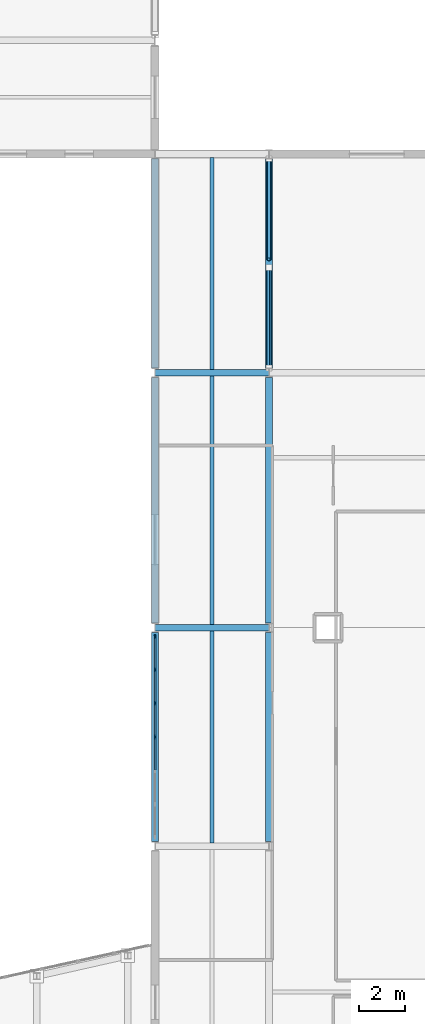
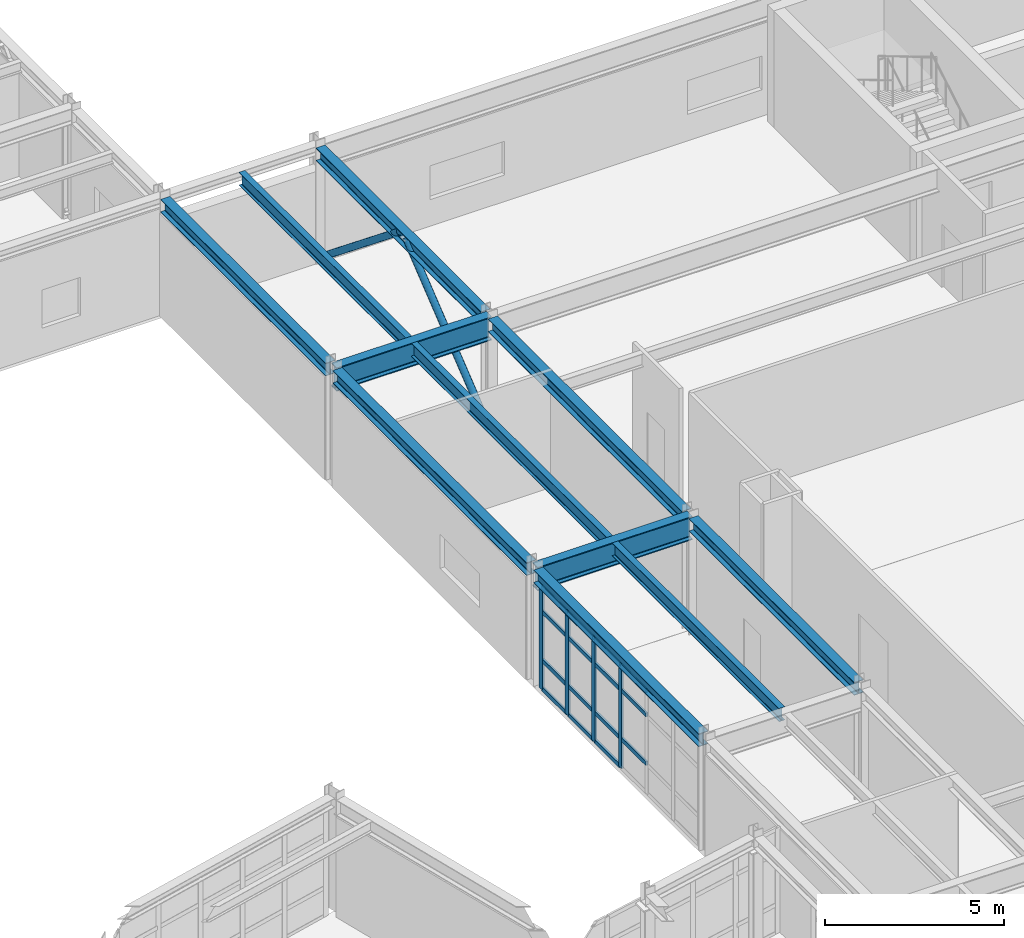
# One storey, part 40 of 88: 21 members, 11 beams, 1 element without a shape of its own.
"""IFC4 building model written with IfcOpenShell, lengths in metres."""

from ifc_helpers import new_model, si_unit, direction, frame, origin, origin_2d, place, context, subcontext, project, spatial, rectangle, hollow_circle, i_section, extrude, material, layer, layer_set, material_profile, profile_set, type_object, element, aggregate, save


model = new_model("IFC4")

# Units and contexts
model_context = context("Model", 3, precision=1e-05, world=origin(), true_north=direction((0.0, 1.0)))
body_context = subcontext(model_context, "Body", "Model", "MODEL_VIEW")
ifc_project = project(units=[si_unit("LENGTHUNIT", "METRE"), si_unit("AREAUNIT", "SQUARE_METRE"), si_unit("VOLUMEUNIT", "CUBIC_METRE"), si_unit("PLANEANGLEUNIT", "RADIAN"), si_unit("MASSUNIT", "GRAM", prefix="KILO")], contexts=[model_context])

# Site, building, storey
site_placement = place(None, origin())
site = spatial("IfcSite", under=ifc_project, at=site_placement, CompositionType="ELEMENT")
building_placement = place(site_placement, origin())
building = spatial("IfcBuilding", under=site, at=building_placement, Name="Nordkorset Police Headquarters", CompositionType="ELEMENT")
storey_placement = place(building_placement, frame((0.0, 0.0, 9.449951171875)))
storey = spatial("IfcBuildingStorey", under=building, at=storey_placement, Name="L02", CompositionType="ELEMENT", Elevation=9.449951171875)

# Beams
ifc_material_1 = material(Name="Steel S355J2", Category="steel")
ifc_material_profile_1 = material_profile(ifc_material_1, i_section(OverallWidth=0.18994140625, OverallDepth=0.449951171875, WebThickness=0.009521484375, FlangeThickness=0.0146484375, FilletRadius=0.02099609375, at=origin_2d()), Name="IPE 450")
ifc_profile_set_1 = profile_set([ifc_material_profile_1], Name="Steel S355J2")
beam_type_1 = type_object("IfcBeamType", Name="Beam_IPE_450", PredefinedType="BEAM", material=ifc_profile_set_1)
beam_1_placement = place(storey_placement, frame((88.89990234375, 67.35009765625, 3.739990234375), z_axis=(0.0, 1.0, 0.0), x_axis=(-1.0, 0.0, 0.0)))
element("IfcBeam", 1, at=beam_1_placement, inside=storey, type_object=beam_type_1, Name="Composite Floor Beam V5 L02 0-2-1", PredefinedType="BEAM", context=body_context, shape_type="SweptSolid", body=[
    extrude(i_section(OverallWidth=0.18994140625, OverallDepth=0.449951171875, WebThickness=0.009521484375, FlangeThickness=0.0146484375, FilletRadius=0.02099609375, at=origin_2d()), origin(), (0.0, 0.0, 1.0), 9.2998046875),
])
beam_2_placement = place(storey_placement, frame((88.89990234375, 76.949951171875, 3.739990234375), z_axis=(0.0, 1.0, 0.0), x_axis=(-1.0, 0.0, 0.0)))
element("IfcBeam", 2, at=beam_2_placement, inside=storey, type_object=beam_type_1, Name="Composite Floor Beam V5 L02 0-3-1", PredefinedType="BEAM", context=body_context, shape_type="SweptSolid", body=[
    extrude(i_section(OverallWidth=0.18994140625, OverallDepth=0.449951171875, WebThickness=0.009521484375, FlangeThickness=0.0146484375, FilletRadius=0.02099609375, at=origin_2d()), origin(), (0.0, 0.0, 1.0), 10.900146484375),
])
beam_3_placement = place(storey_placement, frame((88.89990234375, 88.14990234375, 3.739990234375), z_axis=(0.0, 1.0, 0.0), x_axis=(-1.0, 0.0, 0.0)))
element("IfcBeam", 3, at=beam_3_placement, inside=storey, type_object=beam_type_1, Name="Composite Floor Beam V5 L02 0-4-1", PredefinedType="BEAM", context=body_context, shape_type="SweptSolid", body=[
    extrude(i_section(OverallWidth=0.18994140625, OverallDepth=0.449951171875, WebThickness=0.009521484375, FlangeThickness=0.0146484375, FilletRadius=0.02099609375, at=origin_2d()), origin(), (0.0, 0.0, 1.0), 9.300048828125),
])

# Members
ifc_material_2 = material(Name="Steel S355J2", Category="steel")
ifc_material_profile_2 = material_profile(ifc_material_2, hollow_circle(Radius=0.109619140625, WallThickness=0.010009765625, at=origin_2d()), Name="CHS 219.1x10")
ifc_profile_set_2 = profile_set([ifc_material_profile_2], Name="Steel S355J2")
member_type_1 = type_object("IfcMemberType", Name="Brace_CHS_219.1x10", PredefinedType="BRACE", material=ifc_profile_set_2)
for number, where, z_axis, x_axis, name in (
    (4, (91.39990234375, 88.199951171875, 0.199951171875), (0.0, 0.779669991472, 0.626190629439), (-1.0, 0.0, 0.0), "Lateral Chevron Brace BF-V5-A L02 D1"),
    (5, (91.39990234375, 97.39990234375, 0.199951171875), (0.0, -0.779653104675, 0.626211654611), (1.0, 0.0, 0.0), "Lateral Chevron Brace BF-V5-A L02 D2"),
):
    element("IfcMember", number, at=place(storey_placement, frame(where, z_axis=z_axis, x_axis=x_axis)), inside=storey, type_object=member_type_1, Name=name, PredefinedType="BRACE", context=body_context, shape_type="SweptSolid", body=[
        extrude(hollow_circle(Radius=0.109619140625, WallThickness=0.010009765625, at=origin_2d()), origin(), (0.0, 0.0, 1.0), 5.669189453125),
    ])

# Curtain wall, members
ifc_material_3 = material(Name="Aluminium alloy AW-6060", Category="aluminium")
ifc_layer = layer(ifc_material_3, 0.179931640625, Name="Aluminium alloy AW-6060")
ifc_layer_set = layer_set([ifc_layer], Name="Aluminium alloy AW-6060")
curtain_wall_type = type_object("IfcCurtainWallType", Name="CW_Unit_888x350", PredefinedType="USERDEFINED", material=ifc_layer_set)
curtain_wall_placement = place(storey_placement, origin())
curtain_wall = element("IfcCurtainWall", 6, at=curtain_wall_placement, inside=storey, type_object=curtain_wall_type, Name="Unitised Curtain Wall L02 V5W-2", ObjectType="UNITISED CURTAIN WALL", PredefinedType="USERDEFINED")
ifc_material_4 = material(Name="Aluminium alloy AW-6060", Category="aluminium")
ifc_material_profile_3 = material_profile(ifc_material_4, rectangle(XDim=0.06494140625, YDim=0.179931640625, at=origin_2d()), Name="ALU MULL 65x180")
ifc_profile_set_3 = profile_set([ifc_material_profile_3], Name="Aluminium alloy AW-6060")
member_type_2 = type_object("IfcMemberType", Name="CW_Mullion_65x180", PredefinedType="MULLION", material=ifc_profile_set_3)
member_1_placement = place(storey_placement, frame((86.39990234375, 72.0, 0.0), z_axis=(0.0, 0.0, 1.0), x_axis=(-1.0, 0.0, 0.0)))
member_1 = element("IfcMember", 7, at=member_1_placement, type_object=member_type_2, Name="CW-95 mullion 4", PredefinedType="MULLION", context=body_context, shape_type="SweptSolid", body=[
    extrude(rectangle(XDim=0.06494140625, YDim=0.179931640625, at=origin_2d()), origin(), (0.0, 0.0, 1.0), 3.505126953125),
])
member_2_placement = place(storey_placement, frame((86.39990234375, 73.47998046875, 0.0), z_axis=(0.0, 0.0, 1.0), x_axis=(-1.0, 0.0, 0.0)))
member_2 = element("IfcMember", 8, at=member_2_placement, type_object=member_type_2, Name="CW-95 mullion 5", PredefinedType="MULLION", context=body_context, shape_type="SweptSolid", body=[
    extrude(rectangle(XDim=0.06494140625, YDim=0.179931640625, at=origin_2d()), origin(), (0.0, 0.0, 1.0), 3.505126953125),
])
member_3_placement = place(storey_placement, frame((86.39990234375, 74.9599609375, 0.0), z_axis=(0.0, 0.0, 1.0), x_axis=(-1.0, 0.0, 0.0)))
member_3 = element("IfcMember", 9, at=member_3_placement, type_object=member_type_2, Name="CW-95 mullion 6", PredefinedType="MULLION", context=body_context, shape_type="SweptSolid", body=[
    extrude(rectangle(XDim=0.06494140625, YDim=0.179931640625, at=origin_2d()), origin(), (0.0, 0.0, 1.0), 3.505126953125),
])
member_4_placement = place(storey_placement, frame((86.39990234375, 76.407470703125, 0.0), z_axis=(0.0, 0.0, 1.0), x_axis=(-1.0, 0.0, 0.0)))
member_4 = element("IfcMember", 10, at=member_4_placement, type_object=member_type_2, Name="CW-95 mullion 7", PredefinedType="MULLION", context=body_context, shape_type="SweptSolid", body=[
    extrude(rectangle(XDim=0.06494140625, YDim=0.179931640625, at=origin_2d()), origin(), (0.0, 0.0, 1.0), 3.505126953125),
])
ifc_material_5 = material(Name="Aluminium alloy AW-6060", Category="aluminium")
ifc_material_profile_4 = material_profile(ifc_material_5, rectangle(XDim=0.06494140625, YDim=0.139892578125, at=origin_2d()), Name="ALU TRAN 65x140")
ifc_profile_set_4 = profile_set([ifc_material_profile_4], Name="Aluminium alloy AW-6060")
member_type_3 = type_object("IfcMemberType", Name="CW_Transom_65x140", PredefinedType="USERDEFINED", material=ifc_profile_set_4)
member_5_placement = place(storey_placement, frame((86.39990234375, 70.552490234375, 1.0), z_axis=(0.0, 1.0, 0.0), x_axis=(-1.0, 0.0, 0.0)))
member_5 = element("IfcMember", 11, at=member_5_placement, type_object=member_type_3, Name="CW-95 transom 3.2", ObjectType="TRANSOM", PredefinedType="USERDEFINED", context=body_context, shape_type="SweptSolid", body=[
    extrude(rectangle(XDim=0.06494140625, YDim=0.139892578125, at=origin_2d()), origin(), (0.0, 0.0, 1.0), 1.4150390625),
])
member_6_placement = place(storey_placement, frame((86.39990234375, 70.552490234375, 2.655029296875), z_axis=(0.0, 1.0, 0.0), x_axis=(-1.0, 0.0, 0.0)))
member_6 = element("IfcMember", 12, at=member_6_placement, type_object=member_type_3, Name="CW-95 transom 3.3", ObjectType="TRANSOM", PredefinedType="USERDEFINED", context=body_context, shape_type="SweptSolid", body=[
    extrude(rectangle(XDim=0.06494140625, YDim=0.139892578125, at=origin_2d()), origin(), (0.0, 0.0, 1.0), 1.4150390625),
])
member_7_placement = place(storey_placement, frame((86.39990234375, 70.552490234375, 3.47265625), z_axis=(0.0, 1.0, 0.0), x_axis=(-1.0, 0.0, 0.0)))
member_7 = element("IfcMember", 13, at=member_7_placement, type_object=member_type_3, Name="CW-95 transom 3.4", ObjectType="TRANSOM", PredefinedType="USERDEFINED", context=body_context, shape_type="SweptSolid", body=[
    extrude(rectangle(XDim=0.06494140625, YDim=0.139892578125, at=origin_2d()), origin(), (0.0, 0.0, 1.0), 1.4150390625),
])
member_8_placement = place(storey_placement, frame((86.39990234375, 72.032470703125, 0.032470703125), z_axis=(0.0, 1.0, 0.0), x_axis=(-1.0, 0.0, 0.0)))
member_8 = element("IfcMember", 14, at=member_8_placement, type_object=member_type_3, Name="CW-95 transom 4.1", ObjectType="TRANSOM", PredefinedType="USERDEFINED", context=body_context, shape_type="SweptSolid", body=[
    extrude(rectangle(XDim=0.06494140625, YDim=0.139892578125, at=origin_2d()), origin(), (0.0, 0.0, 1.0), 1.4150390625),
])
member_9_placement = place(storey_placement, frame((86.39990234375, 72.032470703125, 1.0), z_axis=(0.0, 1.0, 0.0), x_axis=(-1.0, 0.0, 0.0)))
member_9 = element("IfcMember", 15, at=member_9_placement, type_object=member_type_3, Name="CW-95 transom 4.2", ObjectType="TRANSOM", PredefinedType="USERDEFINED", context=body_context, shape_type="SweptSolid", body=[
    extrude(rectangle(XDim=0.06494140625, YDim=0.139892578125, at=origin_2d()), origin(), (0.0, 0.0, 1.0), 1.4150390625),
])
member_10_placement = place(storey_placement, frame((86.39990234375, 72.032470703125, 2.655029296875), z_axis=(0.0, 1.0, 0.0), x_axis=(-1.0, 0.0, 0.0)))
member_10 = element("IfcMember", 16, at=member_10_placement, type_object=member_type_3, Name="CW-95 transom 4.3", ObjectType="TRANSOM", PredefinedType="USERDEFINED", context=body_context, shape_type="SweptSolid", body=[
    extrude(rectangle(XDim=0.06494140625, YDim=0.139892578125, at=origin_2d()), origin(), (0.0, 0.0, 1.0), 1.4150390625),
])
member_11_placement = place(storey_placement, frame((86.39990234375, 72.032470703125, 3.47265625), z_axis=(0.0, 1.0, 0.0), x_axis=(-1.0, 0.0, 0.0)))
member_11 = element("IfcMember", 17, at=member_11_placement, type_object=member_type_3, Name="CW-95 transom 4.4", ObjectType="TRANSOM", PredefinedType="USERDEFINED", context=body_context, shape_type="SweptSolid", body=[
    extrude(rectangle(XDim=0.06494140625, YDim=0.139892578125, at=origin_2d()), origin(), (0.0, 0.0, 1.0), 1.4150390625),
])
member_12_placement = place(storey_placement, frame((86.39990234375, 73.512451171875, 0.032470703125), z_axis=(0.0, 1.0, 0.0), x_axis=(-1.0, 0.0, 0.0)))
member_12 = element("IfcMember", 18, at=member_12_placement, type_object=member_type_3, Name="CW-95 transom 5.1", ObjectType="TRANSOM", PredefinedType="USERDEFINED", context=body_context, shape_type="SweptSolid", body=[
    extrude(rectangle(XDim=0.06494140625, YDim=0.139892578125, at=origin_2d()), origin(), (0.0, 0.0, 1.0), 1.4150390625),
])
member_13_placement = place(storey_placement, frame((86.39990234375, 73.512451171875, 1.0), z_axis=(0.0, 1.0, 0.0), x_axis=(-1.0, 0.0, 0.0)))
member_13 = element("IfcMember", 19, at=member_13_placement, type_object=member_type_3, Name="CW-95 transom 5.2", ObjectType="TRANSOM", PredefinedType="USERDEFINED", context=body_context, shape_type="SweptSolid", body=[
    extrude(rectangle(XDim=0.06494140625, YDim=0.139892578125, at=origin_2d()), origin(), (0.0, 0.0, 1.0), 1.4150390625),
])
member_14_placement = place(storey_placement, frame((86.39990234375, 73.512451171875, 2.655029296875), z_axis=(0.0, 1.0, 0.0), x_axis=(-1.0, 0.0, 0.0)))
member_14 = element("IfcMember", 20, at=member_14_placement, type_object=member_type_3, Name="CW-95 transom 5.3", ObjectType="TRANSOM", PredefinedType="USERDEFINED", context=body_context, shape_type="SweptSolid", body=[
    extrude(rectangle(XDim=0.06494140625, YDim=0.139892578125, at=origin_2d()), origin(), (0.0, 0.0, 1.0), 1.4150390625),
])
member_15_placement = place(storey_placement, frame((86.39990234375, 73.512451171875, 3.47265625), z_axis=(0.0, 1.0, 0.0), x_axis=(-1.0, 0.0, 0.0)))
member_15 = element("IfcMember", 21, at=member_15_placement, type_object=member_type_3, Name="CW-95 transom 5.4", ObjectType="TRANSOM", PredefinedType="USERDEFINED", context=body_context, shape_type="SweptSolid", body=[
    extrude(rectangle(XDim=0.06494140625, YDim=0.139892578125, at=origin_2d()), origin(), (0.0, 0.0, 1.0), 1.4150390625),
])
member_16_placement = place(storey_placement, frame((86.39990234375, 74.992431640625, 0.032470703125), z_axis=(0.0, 1.0, 0.0), x_axis=(-1.0, 0.0, 0.0)))
member_16 = element("IfcMember", 22, at=member_16_placement, type_object=member_type_3, Name="CW-95 transom 6.1", ObjectType="TRANSOM", PredefinedType="USERDEFINED", context=body_context, shape_type="SweptSolid", body=[
    extrude(rectangle(XDim=0.06494140625, YDim=0.139892578125, at=origin_2d()), origin(), (0.0, 0.0, 1.0), 1.382568359375),
])
member_17_placement = place(storey_placement, frame((86.39990234375, 74.992431640625, 1.0), z_axis=(0.0, 1.0, 0.0), x_axis=(-1.0, 0.0, 0.0)))
member_17 = element("IfcMember", 23, at=member_17_placement, type_object=member_type_3, Name="CW-95 transom 6.2", ObjectType="TRANSOM", PredefinedType="USERDEFINED", context=body_context, shape_type="SweptSolid", body=[
    extrude(rectangle(XDim=0.06494140625, YDim=0.139892578125, at=origin_2d()), origin(), (0.0, 0.0, 1.0), 1.382568359375),
])
member_18_placement = place(storey_placement, frame((86.39990234375, 74.992431640625, 2.655029296875), z_axis=(0.0, 1.0, 0.0), x_axis=(-1.0, 0.0, 0.0)))
member_18 = element("IfcMember", 24, at=member_18_placement, type_object=member_type_3, Name="CW-95 transom 6.3", ObjectType="TRANSOM", PredefinedType="USERDEFINED", context=body_context, shape_type="SweptSolid", body=[
    extrude(rectangle(XDim=0.06494140625, YDim=0.139892578125, at=origin_2d()), origin(), (0.0, 0.0, 1.0), 1.382568359375),
])
member_19_placement = place(storey_placement, frame((86.39990234375, 74.992431640625, 3.47265625), z_axis=(0.0, 1.0, 0.0), x_axis=(-1.0, 0.0, 0.0)))
member_19 = element("IfcMember", 25, at=member_19_placement, type_object=member_type_3, Name="CW-95 transom 6.4", ObjectType="TRANSOM", PredefinedType="USERDEFINED", context=body_context, shape_type="SweptSolid", body=[
    extrude(rectangle(XDim=0.06494140625, YDim=0.139892578125, at=origin_2d()), origin(), (0.0, 0.0, 1.0), 1.382568359375),
])
aggregate(curtain_wall, [member_1, member_2, member_3, member_4, member_5, member_6, member_7, member_8, member_9, member_10, member_11, member_12, member_13, member_14, member_15, member_16, member_17, member_18, member_19])

# Beams
ifc_material_6 = material(Name="Steel S355J2", Category="steel")
ifc_material_profile_5 = material_profile(ifc_material_6, i_section(OverallWidth=0.300048828125, OverallDepth=0.43994140625, WebThickness=0.011474609375, FlangeThickness=0.02099609375, FilletRadius=0.027099609375, at=origin_2d()), Name="HEA 450")
ifc_profile_set_5 = profile_set([ifc_material_profile_5], Name="Steel S355J2")
beam_type_2 = type_object("IfcBeamType", Name="Girder_HEA_450", PredefinedType="USERDEFINED", material=ifc_profile_set_5)
beam_4_placement = place(storey_placement, frame((86.39990234375, 67.39990234375, 3.7451171875), z_axis=(0.0, 1.0, 0.0), x_axis=(-1.0, 0.0, 0.0)))
element("IfcBeam", 26, at=beam_4_placement, inside=storey, type_object=beam_type_2, Name="Girder V5 L02 GY-0-2", ObjectType="GIRDER", PredefinedType="USERDEFINED", context=body_context, shape_type="SweptSolid", body=[
    extrude(i_section(OverallWidth=0.300048828125, OverallDepth=0.43994140625, WebThickness=0.011474609375, FlangeThickness=0.02099609375, FilletRadius=0.027099609375, at=origin_2d()), origin(), (0.0, 0.0, 1.0), 9.2001953125),
])
beam_5_placement = place(storey_placement, frame((86.39990234375, 77.0, 3.7451171875), z_axis=(0.0, 1.0, 0.0), x_axis=(-1.0, 0.0, 0.0)))
element("IfcBeam", 27, at=beam_5_placement, inside=storey, type_object=beam_type_2, Name="Girder V5 L02 GY-0-3", ObjectType="GIRDER", PredefinedType="USERDEFINED", context=body_context, shape_type="SweptSolid", body=[
    extrude(i_section(OverallWidth=0.300048828125, OverallDepth=0.43994140625, WebThickness=0.011474609375, FlangeThickness=0.02099609375, FilletRadius=0.027099609375, at=origin_2d()), origin(), (0.0, 0.0, 1.0), 10.800048828125),
])
beam_6_placement = place(storey_placement, frame((86.39990234375, 88.199951171875, 3.7451171875), z_axis=(0.0, 1.0, 0.0), x_axis=(-1.0, 0.0, 0.0)))
element("IfcBeam", 28, at=beam_6_placement, inside=storey, type_object=beam_type_2, Name="Girder V5 L02 GY-0-4", ObjectType="GIRDER", PredefinedType="USERDEFINED", context=body_context, shape_type="SweptSolid", body=[
    extrude(i_section(OverallWidth=0.300048828125, OverallDepth=0.43994140625, WebThickness=0.011474609375, FlangeThickness=0.02099609375, FilletRadius=0.027099609375, at=origin_2d()), origin(), (0.0, 0.0, 1.0), 9.199951171875),
])
beam_7_placement = place(storey_placement, frame((91.39990234375, 67.39990234375, 3.7451171875), z_axis=(0.0, 1.0, 0.0), x_axis=(-1.0, 0.0, 0.0)))
element("IfcBeam", 29, at=beam_7_placement, inside=storey, type_object=beam_type_2, Name="Girder V5 L02 GY-1-2", ObjectType="GIRDER", PredefinedType="USERDEFINED", context=body_context, shape_type="SweptSolid", body=[
    extrude(i_section(OverallWidth=0.300048828125, OverallDepth=0.43994140625, WebThickness=0.011474609375, FlangeThickness=0.02099609375, FilletRadius=0.027099609375, at=origin_2d()), origin(), (0.0, 0.0, 1.0), 9.2001953125),
])
beam_8_placement = place(storey_placement, frame((91.39990234375, 77.0, 3.7451171875), z_axis=(0.0, 1.0, 0.0), x_axis=(-1.0, 0.0, 0.0)))
element("IfcBeam", 30, at=beam_8_placement, inside=storey, type_object=beam_type_2, Name="Girder V5 L02 GY-1-3", ObjectType="GIRDER", PredefinedType="USERDEFINED", context=body_context, shape_type="SweptSolid", body=[
    extrude(i_section(OverallWidth=0.300048828125, OverallDepth=0.43994140625, WebThickness=0.011474609375, FlangeThickness=0.02099609375, FilletRadius=0.027099609375, at=origin_2d()), origin(), (0.0, 0.0, 1.0), 10.800048828125),
])
beam_9_placement = place(storey_placement, frame((91.39990234375, 88.199951171875, 3.7451171875), z_axis=(0.0, 1.0, 0.0), x_axis=(-1.0, 0.0, 0.0)))
element("IfcBeam", 31, at=beam_9_placement, inside=storey, type_object=beam_type_2, Name="Girder V5 L02 GY-1-4", ObjectType="GIRDER", PredefinedType="USERDEFINED", context=body_context, shape_type="SweptSolid", body=[
    extrude(i_section(OverallWidth=0.300048828125, OverallDepth=0.43994140625, WebThickness=0.011474609375, FlangeThickness=0.02099609375, FilletRadius=0.027099609375, at=origin_2d()), origin(), (0.0, 0.0, 1.0), 9.199951171875),
])
ifc_material_7 = material(Name="Steel S355J2", Category="steel")
ifc_material_profile_6 = material_profile(ifc_material_7, i_section(OverallWidth=0.300048828125, OverallDepth=0.800048828125, WebThickness=0.017578125, FlangeThickness=0.032958984375, FilletRadius=0.030029296875, at=origin_2d()), Name="HEB 800")
ifc_profile_set_6 = profile_set([ifc_material_profile_6], Name="Steel S355J2")
beam_type_3 = type_object("IfcBeamType", Name="Girder_HEB_800", PredefinedType="USERDEFINED", material=ifc_profile_set_6)
for number, where, z_axis, x_axis, name in (
    (32, (86.40673828125, 76.800048828125, 3.56494140625), (1.0, 0.0, 0.0), (0.0, 1.0, 0.0), "Girder V5 L02 GX-3-0"),
    (33, (86.40673828125, 88.0, 3.56494140625), (1.0, 0.0, 0.0), (0.0, 1.0, 0.0), "Girder V5 L02 GX-4-0"),
):
    element("IfcBeam", number, at=place(storey_placement, frame(where, z_axis=z_axis, x_axis=x_axis)), inside=storey, type_object=beam_type_3, Name=name, ObjectType="GIRDER", PredefinedType="USERDEFINED", context=body_context, shape_type="SweptSolid", body=[
        extrude(i_section(OverallWidth=0.300048828125, OverallDepth=0.800048828125, WebThickness=0.017578125, FlangeThickness=0.032958984375, FilletRadius=0.030029296875, at=origin_2d()), origin(), (0.0, 0.0, 1.0), 4.986572265625),
    ])

save(model, "model.ifc")
